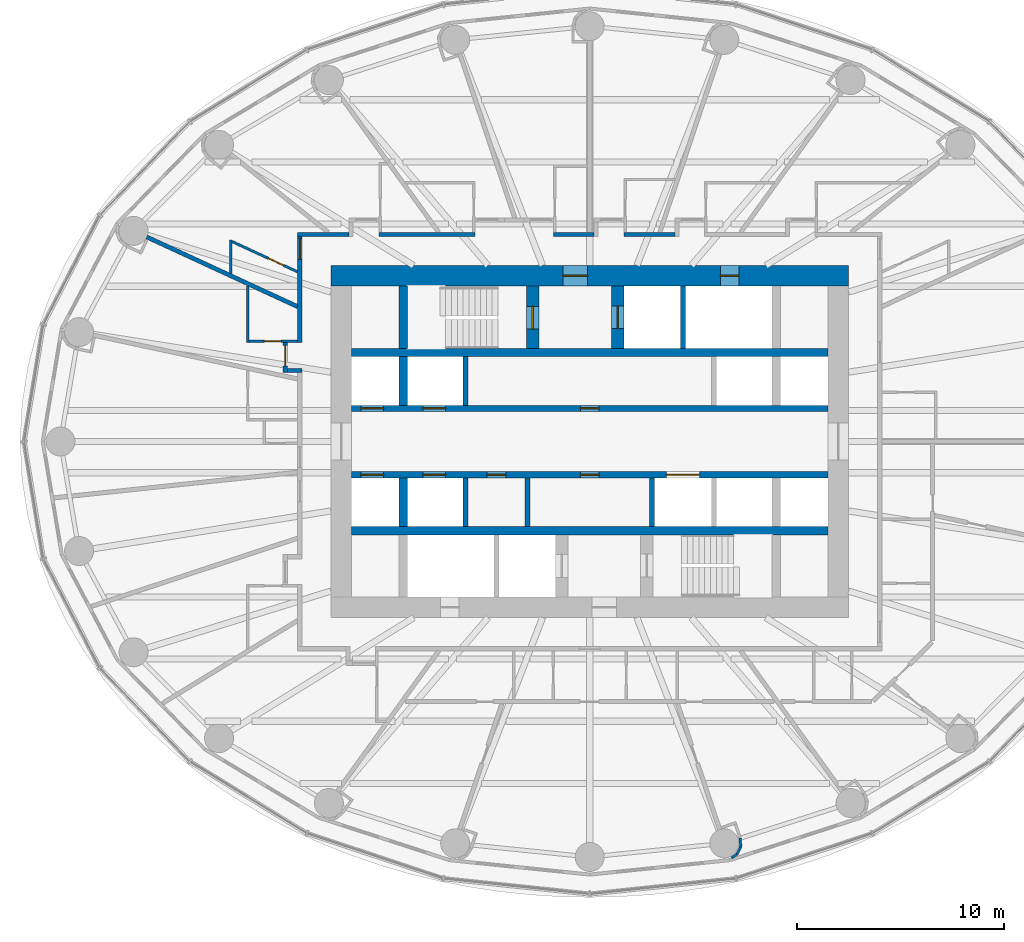
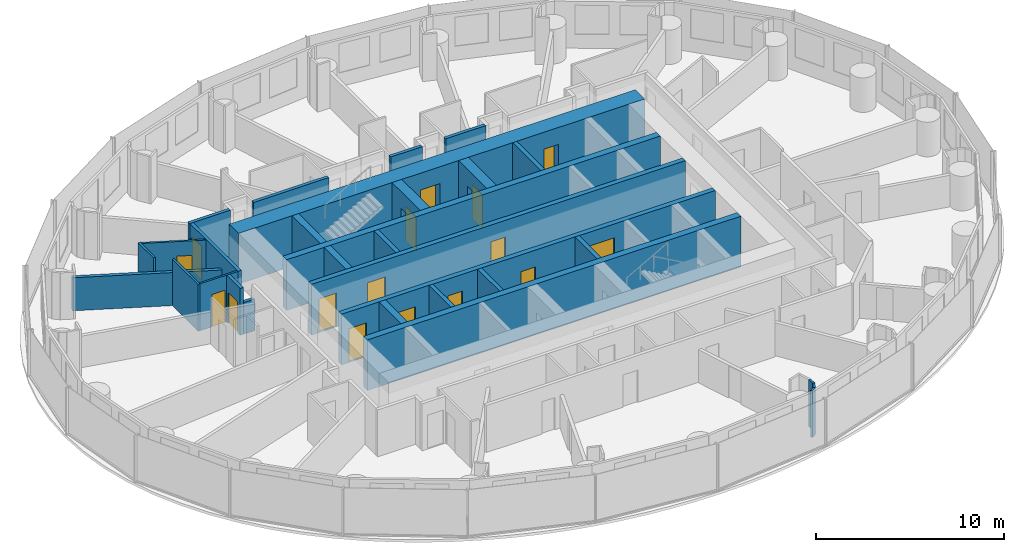
# One storey, part 8 of 14: 30 walls, 16 doors, 16 openings.
"""IFC4 building model written with IfcOpenShell, lengths in metres."""

from ifc_helpers import new_model, si_unit, direction, frame, frame_2d, origin, place, context, subcontext, project, spatial, rectangle, extrude, material, layer, layer_set, type_object, element, fill, save


model = new_model("IFC4")

# Units and contexts
model_context = context("Model", 3, precision=1e-05, world=origin(), true_north=direction((0.0, 1.0)))
body_context = subcontext(model_context, "Body", "Model", "MODEL_VIEW")
ifc_project = project(units=[si_unit("LENGTHUNIT", "METRE"), si_unit("AREAUNIT", "SQUARE_METRE"), si_unit("VOLUMEUNIT", "CUBIC_METRE"), si_unit("PLANEANGLEUNIT", "RADIAN"), si_unit("MASSUNIT", "GRAM", prefix="KILO")], contexts=[model_context])

# Site, building, storey
site_placement = place(None, origin())
site = spatial("IfcSite", under=ifc_project, at=site_placement, CompositionType="ELEMENT")
building_placement = place(site_placement, origin())
building = spatial("IfcBuilding", under=site, at=building_placement, Name="Hankou Lantern Tower", CompositionType="ELEMENT")
storey_placement = place(building_placement, frame((0.0, 0.0, 90.300048828125)))
storey = spatial("IfcBuildingStorey", under=building, at=storey_placement, Name="L23", CompositionType="ELEMENT", Elevation=90.300048828125)

# Wall, openings, doors
ifc_material_1 = material(Name="Concrete C60", Category="concrete")
ifc_layer_1 = layer(ifc_material_1, 1.0)
ifc_layer_set_1 = layer_set([ifc_layer_1], Name="Concrete C60")
wall_type_1 = type_object("IfcWallType", Name="CW1 CORE WALL 1000", PredefinedType="SHEAR", material=ifc_layer_set_1)
wall_1_placement = place(storey_placement, frame((-12.5, 8.0, 0.0), z_axis=(0.0, 0.0, 1.0), x_axis=(1.0, 0.0, 0.0)))
wall_1 = element("IfcWall", 1, at=wall_1_placement, inside=storey, type_object=wall_type_1, Name="Core wall north L23", PredefinedType="SHEAR", context=body_context, shape_type="SweptSolid", body=[
    extrude(rectangle(XDim=25.0, YDim=1.0, at=frame_2d((12.5, 0.0))), origin(), (0.0, 0.0, 1.0), 3.300048828125),
])
opening_1_placement = place(wall_1_placement, frame((11.199951171875, 0.0, 0.0)))
opening_1 = element("IfcOpeningElement", 2, at=opening_1_placement, cuts=wall_1, Name="Opening D5", PredefinedType="OPENING", context=body_context, shape_type="SweptSolid", body=[
    extrude(rectangle(XDim=1.199951171875, YDim=2.199951171875, at=frame_2d((0.60009765625, 1.10009765625))), frame((0.0, 0.510009765625, 0.0), z_axis=(0.0, -1.0, 0.0), x_axis=(1.0, 0.0, 0.0)), (0.0, 0.0, 1.0), 1.02001953125),
])
opening_2_placement = place(wall_1_placement, frame((18.800048828125, 0.0, 0.0)))
opening_2 = element("IfcOpeningElement", 3, at=opening_2_placement, cuts=wall_1, Name="Opening D7", PredefinedType="OPENING", context=body_context, shape_type="SweptSolid", body=[
    extrude(rectangle(XDim=0.89990234375, YDim=2.199951171875, at=frame_2d((0.449951171875, 1.10009765625))), frame((0.0, 0.510009765625, 0.0), z_axis=(0.0, -1.0, 0.0), x_axis=(1.0, 0.0, 0.0)), (0.0, 0.0, 1.0), 1.02001953125),
])
ifc_material_2 = material(Name="Steel door leaf", Category="steel")
door_type_1 = type_object("IfcDoorType", Name="D5 STAIR LOBBY DOOR 1200X2200", OperationType="SINGLE_SWING_LEFT", PredefinedType="DOOR", material=ifc_material_2)
door_1_placement = place(opening_1_placement, origin())
door_1 = element("IfcDoor", 4, at=door_1_placement, inside=storey, type_object=door_type_1, Name="Stair A lobby door", OperationType="SINGLE_SWING_LEFT", OverallHeight=2.199951171875, OverallWidth=1.199951171875, PredefinedType="DOOR", context=body_context, shape_type="SweptSolid", body=[
    extrude(rectangle(XDim=1.199951171875, YDim=2.199951171875, at=frame_2d((0.60009765625, 1.10009765625))), frame((0.0, 0.02490234375, 0.0), z_axis=(0.0, -1.0, 0.0), x_axis=(1.0, 0.0, 0.0)), (0.0, 0.0, 1.0), 0.050048828125),
])
fill(opening_1, door_1)
ifc_material_3 = material(Name="Steel door leaf", Category="steel")
door_type_2 = type_object("IfcDoorType", Name="D7 RISER DOOR 900X2200", OperationType="SINGLE_SWING_LEFT", PredefinedType="DOOR", material=ifc_material_3)
door_2_placement = place(opening_2_placement, origin())
door_2 = element("IfcDoor", 5, at=door_2_placement, inside=storey, type_object=door_type_2, Name="Riser N1 door", OperationType="SINGLE_SWING_RIGHT", OverallHeight=2.199951171875, OverallWidth=0.89990234375, PredefinedType="DOOR", context=body_context, shape_type="SweptSolid", body=[
    extrude(rectangle(XDim=0.89990234375, YDim=2.199951171875, at=frame_2d((0.449951171875, 1.10009765625))), frame((0.0, 0.02490234375, 0.0), z_axis=(0.0, -1.0, 0.0), x_axis=(1.0, 0.0, 0.0)), (0.0, 0.0, 1.0), 0.050048828125),
])
fill(opening_2, door_2)

# Walls
ifc_material_4 = material(Name="Concrete C60", Category="concrete")
ifc_layer_2 = layer(ifc_material_4, 0.39990234375)
ifc_layer_set_2 = layer_set([ifc_layer_2], Name="Concrete C60")
wall_type_2 = type_object("IfcWallType", Name="CW4 CORE CROSS WALL 400", PredefinedType="SHEAR", material=ifc_layer_set_2)
for number, where, z_axis, x_axis, name in (
    (6, (-11.5, 4.300048828125, 0.0), (0.0, 0.0, 1.0), (1.0, 0.0, 0.0), "Core band wall north L23"),
    (7, (-11.5, -4.300048828125, 0.0), (0.0, 0.0, 1.0), (1.0, 0.0, 0.0), "Core band wall south L23"),
):
    element("IfcWall", number, at=place(storey_placement, frame(where, z_axis=z_axis, x_axis=x_axis)), inside=storey, type_object=wall_type_2, Name=name, PredefinedType="SHEAR", context=body_context, shape_type="SweptSolid", body=[
        extrude(rectangle(XDim=23.0, YDim=0.39990234375, at=frame_2d((11.5, 0.0))), origin(), (0.0, 0.0, 1.0), 3.300048828125),
    ])
wall_2_placement = place(storey_placement, frame((-9.0, 4.5, 0.0), z_axis=(0.0, 0.0, 1.0), x_axis=(0.0, 1.0, 0.0)))
element("IfcWall", 8, at=wall_2_placement, inside=storey, type_object=wall_type_2, Name="Core strip wall L23", PredefinedType="SHEAR", context=body_context, shape_type="SweptSolid", body=[
    extrude(rectangle(XDim=3.0, YDim=0.39990234375, at=frame_2d((1.5, 0.0))), origin(), (0.0, 0.0, 1.0), 3.300048828125),
])
for number, where, z_axis, x_axis, name in (
    (9, (-9.0, 1.75, 0.0), (0.0, 0.0, 1.0), (0.0, 1.0, 0.0), "Core strip wall L23"),
    (10, (-9.0, -4.10009765625, 0.0), (0.0, 0.0, 1.0), (0.0, 1.0, 0.0), "Core strip wall L23"),
):
    element("IfcWall", number, at=place(storey_placement, frame(where, z_axis=z_axis, x_axis=x_axis)), inside=storey, type_object=wall_type_2, Name=name, PredefinedType="SHEAR", context=body_context, shape_type="SweptSolid", body=[
        extrude(rectangle(XDim=2.35009765625, YDim=0.39990234375, at=frame_2d((1.175048828125, 0.0))), origin(), (0.0, 0.0, 1.0), 3.300048828125),
    ])

# Wall, openings, doors
ifc_material_5 = material(Name="Concrete C60", Category="concrete")
ifc_layer_3 = layer(ifc_material_5, 0.300048828125)
ifc_layer_set_3 = layer_set([ifc_layer_3], Name="Concrete C60")
wall_type_3 = type_object("IfcWallType", Name="CW5 LIFT LOBBY WALL 300", PredefinedType="SHEAR", material=ifc_layer_set_3)
wall_3_placement = place(storey_placement, frame((-11.5, 1.60009765625, 0.0), z_axis=(0.0, 0.0, 1.0), x_axis=(1.0, 0.0, 0.0)))
wall_3 = element("IfcWall", 11, at=wall_3_placement, inside=storey, type_object=wall_type_3, Name="Lift lobby wall north L23", PredefinedType="SHEAR", context=body_context, shape_type="SweptSolid", body=[
    extrude(rectangle(XDim=23.0, YDim=0.300048828125, at=frame_2d((11.5, 0.0))), origin(), (0.0, 0.0, 1.0), 3.300048828125),
])
opening_3_placement = place(wall_3_placement, frame((0.449951171875, 0.0, 0.0)))
opening_3 = element("IfcOpeningElement", 12, at=opening_3_placement, cuts=wall_3, Name="Opening LD1", PredefinedType="OPENING", context=body_context, shape_type="SweptSolid", body=[
    extrude(rectangle(XDim=1.10009765625, YDim=2.199951171875, at=frame_2d((0.550048828125, 1.10009765625))), frame((0.0, 0.159912109375, 0.0), z_axis=(0.0, -1.0, 0.0), x_axis=(1.0, 0.0, 0.0)), (0.0, 0.0, 1.0), 0.320068359375),
])
opening_4_placement = place(wall_3_placement, frame((3.449951171875, 0.0, 0.0)))
opening_4 = element("IfcOpeningElement", 13, at=opening_4_placement, cuts=wall_3, Name="Opening LD1", PredefinedType="OPENING", context=body_context, shape_type="SweptSolid", body=[
    extrude(rectangle(XDim=1.10009765625, YDim=2.199951171875, at=frame_2d((0.550048828125, 1.10009765625))), frame((0.0, 0.159912109375, 0.0), z_axis=(0.0, -1.0, 0.0), x_axis=(1.0, 0.0, 0.0)), (0.0, 0.0, 1.0), 0.320068359375),
])
opening_5_placement = place(wall_3_placement, frame((11.050048828125, 0.0, 0.0)))
opening_5 = element("IfcOpeningElement", 14, at=opening_5_placement, cuts=wall_3, Name="Opening D30", PredefinedType="OPENING", context=body_context, shape_type="SweptSolid", body=[
    extrude(rectangle(XDim=0.89990234375, YDim=2.199951171875, at=frame_2d((0.449951171875, 1.10009765625))), frame((0.0, 0.159912109375, 0.0), z_axis=(0.0, -1.0, 0.0), x_axis=(1.0, 0.0, 0.0)), (0.0, 0.0, 1.0), 0.320068359375),
])
ifc_material_6 = material(Name="Steel door leaf", Category="steel")
door_type_3 = type_object("IfcDoorType", Name="D30 CORE ROOM DOOR 900X2200", OperationType="SINGLE_SWING_LEFT", PredefinedType="DOOR", material=ifc_material_6)
door_3_placement = place(opening_5_placement, origin())
door_3 = element("IfcDoor", 15, at=door_3_placement, inside=storey, type_object=door_type_3, Name="Housekeeping and linen store door", OperationType="SINGLE_SWING_LEFT", OverallHeight=2.199951171875, OverallWidth=0.89990234375, PredefinedType="DOOR", context=body_context, shape_type="SweptSolid", body=[
    extrude(rectangle(XDim=0.89990234375, YDim=2.199951171875, at=frame_2d((0.449951171875, 1.10009765625))), frame((0.0, 0.02490234375, 0.0), z_axis=(0.0, -1.0, 0.0), x_axis=(1.0, 0.0, 0.0)), (0.0, 0.0, 1.0), 0.050048828125),
])
fill(opening_5, door_3)
ifc_material_7 = material(Name="Steel door leaf", Category="steel")
door_type_4 = type_object("IfcDoorType", Name="LD1 LIFT LANDING DOOR 1100X2200", OperationType="DOUBLE_DOOR_SLIDING", PredefinedType="DOOR", material=ifc_material_7)
door_4_placement = place(opening_3_placement, origin())
door_4 = element("IfcDoor", 16, at=door_4_placement, inside=storey, type_object=door_type_4, Name="Lift L1 landing door", OperationType="DOUBLE_DOOR_SLIDING", OverallHeight=2.199951171875, OverallWidth=1.10009765625, PredefinedType="DOOR", context=body_context, shape_type="SweptSolid", body=[
    extrude(rectangle(XDim=1.10009765625, YDim=2.199951171875, at=frame_2d((0.550048828125, 1.10009765625))), frame((0.0, 0.02490234375, 0.0), z_axis=(0.0, -1.0, 0.0), x_axis=(1.0, 0.0, 0.0)), (0.0, 0.0, 1.0), 0.050048828125),
])
fill(opening_3, door_4)
door_5_placement = place(opening_4_placement, origin())
door_5 = element("IfcDoor", 17, at=door_5_placement, inside=storey, type_object=door_type_4, Name="Lift L2 landing door", OperationType="DOUBLE_DOOR_SLIDING", OverallHeight=2.199951171875, OverallWidth=1.10009765625, PredefinedType="DOOR", context=body_context, shape_type="SweptSolid", body=[
    extrude(rectangle(XDim=1.10009765625, YDim=2.199951171875, at=frame_2d((0.550048828125, 1.10009765625))), frame((0.0, 0.02490234375, 0.0), z_axis=(0.0, -1.0, 0.0), x_axis=(1.0, 0.0, 0.0)), (0.0, 0.0, 1.0), 0.050048828125),
])
fill(opening_4, door_5)

wall_4_placement = place(storey_placement, frame((-11.5, -1.60009765625, 0.0), z_axis=(0.0, 0.0, 1.0), x_axis=(1.0, 0.0, 0.0)))
wall_4 = element("IfcWall", 18, at=wall_4_placement, inside=storey, type_object=wall_type_3, Name="Lift lobby wall south L23", PredefinedType="SHEAR", context=body_context, shape_type="SweptSolid", body=[
    extrude(rectangle(XDim=23.0, YDim=0.300048828125, at=frame_2d((11.5, 0.0))), origin(), (0.0, 0.0, 1.0), 3.300048828125),
])
opening_6_placement = place(wall_4_placement, frame((0.449951171875, 0.0, 0.0)))
opening_6 = element("IfcOpeningElement", 19, at=opening_6_placement, cuts=wall_4, Name="Opening LD1", PredefinedType="OPENING", context=body_context, shape_type="SweptSolid", body=[
    extrude(rectangle(XDim=1.10009765625, YDim=2.199951171875, at=frame_2d((0.550048828125, 1.10009765625))), frame((0.0, 0.159912109375, 0.0), z_axis=(0.0, -1.0, 0.0), x_axis=(1.0, 0.0, 0.0)), (0.0, 0.0, 1.0), 0.320068359375),
])
opening_7_placement = place(wall_4_placement, frame((3.449951171875, 0.0, 0.0)))
opening_7 = element("IfcOpeningElement", 20, at=opening_7_placement, cuts=wall_4, Name="Opening LD1", PredefinedType="OPENING", context=body_context, shape_type="SweptSolid", body=[
    extrude(rectangle(XDim=1.10009765625, YDim=2.199951171875, at=frame_2d((0.550048828125, 1.10009765625))), frame((0.0, 0.159912109375, 0.0), z_axis=(0.0, -1.0, 0.0), x_axis=(1.0, 0.0, 0.0)), (0.0, 0.0, 1.0), 0.320068359375),
])
opening_8_placement = place(wall_4_placement, frame((15.199951171875, 0.0, 0.0)))
opening_8 = element("IfcOpeningElement", 21, at=opening_8_placement, cuts=wall_4, Name="Opening LD4", PredefinedType="OPENING", context=body_context, shape_type="SweptSolid", body=[
    extrude(rectangle(XDim=1.60009765625, YDim=2.39990234375, at=frame_2d((0.800048828125, 1.199951171875))), frame((0.0, 0.159912109375, 0.0), z_axis=(0.0, -1.0, 0.0), x_axis=(1.0, 0.0, 0.0)), (0.0, 0.0, 1.0), 0.320068359375),
])
opening_9_placement = place(wall_4_placement, frame((6.550048828125, 0.0, 0.0)))
opening_9 = element("IfcOpeningElement", 22, at=opening_9_placement, cuts=wall_4, Name="Opening D30", PredefinedType="OPENING", context=body_context, shape_type="SweptSolid", body=[
    extrude(rectangle(XDim=0.89990234375, YDim=2.199951171875, at=frame_2d((0.449951171875, 1.10009765625))), frame((0.0, 0.159912109375, 0.0), z_axis=(0.0, -1.0, 0.0), x_axis=(1.0, 0.0, 0.0)), (0.0, 0.0, 1.0), 0.320068359375),
])
opening_10_placement = place(wall_4_placement, frame((11.050048828125, 0.0, 0.0)))
opening_10 = element("IfcOpeningElement", 23, at=opening_10_placement, cuts=wall_4, Name="Opening D30", PredefinedType="OPENING", context=body_context, shape_type="SweptSolid", body=[
    extrude(rectangle(XDim=0.89990234375, YDim=2.199951171875, at=frame_2d((0.449951171875, 1.10009765625))), frame((0.0, 0.159912109375, 0.0), z_axis=(0.0, -1.0, 0.0), x_axis=(1.0, 0.0, 0.0)), (0.0, 0.0, 1.0), 0.320068359375),
])
door_6_placement = place(opening_9_placement, origin())
door_6 = element("IfcDoor", 24, at=door_6_placement, inside=storey, type_object=door_type_3, Name="Vending room door", OperationType="SINGLE_SWING_LEFT", OverallHeight=2.199951171875, OverallWidth=0.89990234375, PredefinedType="DOOR", context=body_context, shape_type="SweptSolid", body=[
    extrude(rectangle(XDim=0.89990234375, YDim=2.199951171875, at=frame_2d((0.449951171875, 1.10009765625))), frame((0.0, 0.02490234375, 0.0), z_axis=(0.0, -1.0, 0.0), x_axis=(1.0, 0.0, 0.0)), (0.0, 0.0, 1.0), 0.050048828125),
])
fill(opening_9, door_6)
door_7_placement = place(opening_10_placement, origin())
door_7 = element("IfcDoor", 25, at=door_7_placement, inside=storey, type_object=door_type_3, Name="Minibar store door", OperationType="SINGLE_SWING_LEFT", OverallHeight=2.199951171875, OverallWidth=0.89990234375, PredefinedType="DOOR", context=body_context, shape_type="SweptSolid", body=[
    extrude(rectangle(XDim=0.89990234375, YDim=2.199951171875, at=frame_2d((0.449951171875, 1.10009765625))), frame((0.0, 0.02490234375, 0.0), z_axis=(0.0, -1.0, 0.0), x_axis=(1.0, 0.0, 0.0)), (0.0, 0.0, 1.0), 0.050048828125),
])
fill(opening_10, door_7)
door_8_placement = place(opening_6_placement, origin())
door_8 = element("IfcDoor", 26, at=door_8_placement, inside=storey, type_object=door_type_4, Name="Lift L3 landing door", OperationType="DOUBLE_DOOR_SLIDING", OverallHeight=2.199951171875, OverallWidth=1.10009765625, PredefinedType="DOOR", context=body_context, shape_type="SweptSolid", body=[
    extrude(rectangle(XDim=1.10009765625, YDim=2.199951171875, at=frame_2d((0.550048828125, 1.10009765625))), frame((0.0, 0.02490234375, 0.0), z_axis=(0.0, -1.0, 0.0), x_axis=(1.0, 0.0, 0.0)), (0.0, 0.0, 1.0), 0.050048828125),
])
fill(opening_6, door_8)
door_9_placement = place(opening_7_placement, origin())
door_9 = element("IfcDoor", 27, at=door_9_placement, inside=storey, type_object=door_type_4, Name="Lift L4 landing door", OperationType="DOUBLE_DOOR_SLIDING", OverallHeight=2.199951171875, OverallWidth=1.10009765625, PredefinedType="DOOR", context=body_context, shape_type="SweptSolid", body=[
    extrude(rectangle(XDim=1.10009765625, YDim=2.199951171875, at=frame_2d((0.550048828125, 1.10009765625))), frame((0.0, 0.02490234375, 0.0), z_axis=(0.0, -1.0, 0.0), x_axis=(1.0, 0.0, 0.0)), (0.0, 0.0, 1.0), 0.050048828125),
])
fill(opening_7, door_9)
ifc_material_8 = material(Name="Steel door leaf", Category="steel")
door_type_5 = type_object("IfcDoorType", Name="LD4 SERVICE LIFT LANDING DOOR 1600X2400", OperationType="DOUBLE_DOOR_SLIDING", PredefinedType="DOOR", material=ifc_material_8)
door_10_placement = place(opening_8_placement, origin())
door_10 = element("IfcDoor", 28, at=door_10_placement, inside=storey, type_object=door_type_5, Name="Lift SV1 landing door", OperationType="DOUBLE_DOOR_SLIDING", OverallHeight=2.39990234375, OverallWidth=1.60009765625, PredefinedType="DOOR", context=body_context, shape_type="SweptSolid", body=[
    extrude(rectangle(XDim=1.60009765625, YDim=2.39990234375, at=frame_2d((0.800048828125, 1.199951171875))), frame((0.0, 0.02490234375, 0.0), z_axis=(0.0, -1.0, 0.0), x_axis=(1.0, 0.0, 0.0)), (0.0, 0.0, 1.0), 0.050048828125),
])
fill(opening_8, door_10)

# Wall, opening, door
ifc_material_9 = material(Name="Concrete C60", Category="concrete")
ifc_layer_4 = layer(ifc_material_9, 0.60009765625)
ifc_layer_set_4 = layer_set([ifc_layer_4], Name="Concrete C60")
wall_type_4 = type_object("IfcWallType", Name="CW6 STAIR AND SHAFT WALL 600", PredefinedType="SHEAR", material=ifc_layer_set_4)
wall_5_placement = place(storey_placement, frame((-2.75, 4.5, 0.0), z_axis=(0.0, 0.0, 1.0), x_axis=(0.0, 1.0, 0.0)))
wall_5 = element("IfcWall", 29, at=wall_5_placement, inside=storey, type_object=wall_type_4, Name="Stair wall L23", PredefinedType="SHEAR", context=body_context, shape_type="SweptSolid", body=[
    extrude(rectangle(XDim=3.0, YDim=0.60009765625, at=frame_2d((1.5, 0.0))), origin(), (0.0, 0.0, 1.0), 3.300048828125),
])
opening_11_placement = place(wall_5_placement, frame((0.925048828125, 0.0, 0.0)))
opening_11 = element("IfcOpeningElement", 30, at=opening_11_placement, cuts=wall_5, Name="Opening D4", PredefinedType="OPENING", context=body_context, shape_type="SweptSolid", body=[
    extrude(rectangle(XDim=1.10009765625, YDim=2.199951171875, at=frame_2d((0.550048828125, 1.10009765625))), frame((0.0, 0.31005859375, 0.0), z_axis=(0.0, -1.0, 0.0), x_axis=(1.0, 0.0, 0.0)), (0.0, 0.0, 1.0), 0.6201171875),
])
ifc_material_10 = material(Name="Steel door leaf", Category="steel")
door_type_6 = type_object("IfcDoorType", Name="D4 STAIR DOOR 1100X2200", OperationType="SINGLE_SWING_LEFT", PredefinedType="DOOR", material=ifc_material_10)
door_11_placement = place(opening_11_placement, origin())
door_11 = element("IfcDoor", 31, at=door_11_placement, inside=storey, type_object=door_type_6, Name="Stair A door", OperationType="SINGLE_SWING_LEFT", OverallHeight=2.199951171875, OverallWidth=1.10009765625, PredefinedType="DOOR", context=body_context, shape_type="SweptSolid", body=[
    extrude(rectangle(XDim=1.10009765625, YDim=2.199951171875, at=frame_2d((0.550048828125, 1.10009765625))), frame((0.0, 0.02490234375, 0.0), z_axis=(0.0, -1.0, 0.0), x_axis=(1.0, 0.0, 0.0)), (0.0, 0.0, 1.0), 0.050048828125),
])
fill(opening_11, door_11)

wall_6_placement = place(storey_placement, frame((1.35009765625, 4.5, 0.0), z_axis=(0.0, 0.0, 1.0), x_axis=(0.0, 1.0, 0.0)))
wall_6 = element("IfcWall", 32, at=wall_6_placement, inside=storey, type_object=wall_type_4, Name="Firefighting lift shaft wall L23", PredefinedType="SHEAR", context=body_context, shape_type="SweptSolid", body=[
    extrude(rectangle(XDim=3.0, YDim=0.60009765625, at=frame_2d((1.5, 0.0))), origin(), (0.0, 0.0, 1.0), 3.300048828125),
])
opening_12_placement = place(wall_6_placement, frame((0.949951171875, 0.0, 0.0)))
opening_12 = element("IfcOpeningElement", 33, at=opening_12_placement, cuts=wall_6, Name="Opening LD2", PredefinedType="OPENING", context=body_context, shape_type="SweptSolid", body=[
    extrude(rectangle(XDim=1.10009765625, YDim=2.199951171875, at=frame_2d((0.550048828125, 1.10009765625))), frame((0.0, 0.31005859375, 0.0), z_axis=(0.0, -1.0, 0.0), x_axis=(1.0, 0.0, 0.0)), (0.0, 0.0, 1.0), 0.6201171875),
])
ifc_material_11 = material(Name="Steel door leaf", Category="steel")
door_type_7 = type_object("IfcDoorType", Name="LD2 FIREFIGHTING LIFT LANDING DOOR 1100X2200", OperationType="DOUBLE_DOOR_SLIDING", PredefinedType="DOOR", material=ifc_material_11)
door_12_placement = place(opening_12_placement, origin())
door_12 = element("IfcDoor", 34, at=door_12_placement, inside=storey, type_object=door_type_7, Name="Firefighting lift FL1 landing door", OperationType="DOUBLE_DOOR_SLIDING", OverallHeight=2.199951171875, OverallWidth=1.10009765625, PredefinedType="DOOR", context=body_context, shape_type="SweptSolid", body=[
    extrude(rectangle(XDim=1.10009765625, YDim=2.199951171875, at=frame_2d((0.550048828125, 1.10009765625))), frame((0.0, 0.02490234375, 0.0), z_axis=(0.0, -1.0, 0.0), x_axis=(1.0, 0.0, 0.0)), (0.0, 0.0, 1.0), 0.050048828125),
])
fill(opening_12, door_12)

# Wall
ifc_material_12 = material(Name="Masonry lightweight concrete block", Category="masonry")
ifc_layer_5 = layer(ifc_material_12, 0.199951171875)
ifc_layer_set_5 = layer_set([ifc_layer_5], Name="Masonry lightweight concrete block")
wall_type_5 = type_object("IfcWallType", Name="IW1 GUEST ROOM PARTY WALL 200", PredefinedType="PARTITIONING", material=ifc_layer_set_5)
wall_7_placement = place(storey_placement, frame((-14.10009765625, 6.512451171875, 0.0), z_axis=(0.0, 0.0, 1.0), x_axis=(-0.907832871056, 0.419332181247, 0.0)))
element("IfcWall", 35, at=wall_7_placement, inside=storey, type_object=wall_type_5, Name="Party wall R11", PredefinedType="PARTITIONING", context=body_context, shape_type="SweptSolid", body=[
    extrude(rectangle(XDim=8.02294921875, YDim=0.199951171875, at=frame_2d((4.011474609375, 0.0))), origin(), (0.0, 0.0, 1.0), 2.14990234375),
])

# Wall, opening, door
ifc_material_13 = material(Name="Masonry lightweight concrete block", Category="masonry")
ifc_layer_6 = layer(ifc_material_13, 0.199951171875)
ifc_layer_set_6 = layer_set([ifc_layer_6], Name="Masonry lightweight concrete block")
wall_type_6 = type_object("IfcWallType", Name="IW2 CORRIDOR WALL 200", PredefinedType="PARTITIONING", material=ifc_layer_set_6)
wall_8_placement = place(storey_placement, frame((-14.699951171875, 4.7724609375, 0.0), z_axis=(0.0, 0.0, 1.0), x_axis=(0.0, -1.0, 0.0)))
wall_8 = element("IfcWall", 36, at=wall_8_placement, inside=storey, type_object=wall_type_6, Name="Corridor recess wall 2301 back", PredefinedType="PARTITIONING", context=body_context, shape_type="SweptSolid", body=[
    extrude(rectangle(XDim=1.43994140625, YDim=0.199951171875, at=frame_2d((0.719970703125, 0.0))), origin(), (0.0, 0.0, 1.0), 3.050048828125),
])
opening_13_placement = place(wall_8_placement, frame((0.125, 0.0, 0.0)))
opening_13 = element("IfcOpeningElement", 37, at=opening_13_placement, cuts=wall_8, Name="Opening D35", PredefinedType="OPENING", context=body_context, shape_type="SweptSolid", body=[
    extrude(rectangle(XDim=1.0, YDim=2.0, at=frame_2d((0.5, 1.0))), frame((0.0, 0.10986328125, 0.0), z_axis=(0.0, -1.0, 0.0), x_axis=(1.0, 0.0, 0.0)), (0.0, 0.0, 1.0), 0.219970703125),
])
ifc_material_14 = material(Name="Steel door leaf", Category="steel")
door_type_8 = type_object("IfcDoorType", Name="D35 GUEST ROOM DOOR 1000X2000", OperationType="SINGLE_SWING_LEFT", PredefinedType="DOOR", material=ifc_material_14)
door_13_placement = place(opening_13_placement, origin())
door_13 = element("IfcDoor", 38, at=door_13_placement, inside=storey, type_object=door_type_8, Name="Guest room door 2301", OperationType="SINGLE_SWING_LEFT", OverallHeight=2.0, OverallWidth=1.0, PredefinedType="DOOR", context=body_context, shape_type="SweptSolid", body=[
    extrude(rectangle(XDim=1.0, YDim=2.0, at=frame_2d((0.5, 1.0))), frame((0.0, 0.02490234375, 0.0), z_axis=(0.0, -1.0, 0.0), x_axis=(1.0, 0.0, 0.0)), (0.0, 0.0, 1.0), 0.050048828125),
])
fill(opening_13, door_13)

# Wall
wall_9_placement = place(storey_placement, frame((-13.89990234375, 3.4326171875, 0.0), z_axis=(0.0, 0.0, 1.0), x_axis=(-1.0, 0.0, 0.0)))
element("IfcWall", 39, at=wall_9_placement, inside=storey, type_object=wall_type_6, Name="Corridor recess wall 2301 side", PredefinedType="PARTITIONING", context=body_context, shape_type="SweptSolid", body=[
    extrude(rectangle(XDim=0.7001953125, YDim=0.199951171875, at=frame_2d((0.35009765625, 0.0))), origin(), (0.0, 0.0, 1.0), 2.050048828125),
])

# Wall, opening, door
wall_10_placement = place(storey_placement, frame((-14.0, 9.89990234375, 0.0), z_axis=(0.0, 0.0, 1.0), x_axis=(0.0, -1.0, 0.0)))
wall_10 = element("IfcWall", 40, at=wall_10_placement, inside=storey, type_object=wall_type_6, Name="Corridor wall west", PredefinedType="PARTITIONING", context=body_context, shape_type="SweptSolid", body=[
    extrude(rectangle(XDim=5.12744140625, YDim=0.199951171875, at=frame_2d((2.563720703125, 0.0))), origin(), (0.0, 0.0, 1.0), 3.050048828125),
])
opening_14_placement = place(wall_10_placement, frame((0.1025390625, 0.0, 0.0)))
opening_14 = element("IfcOpeningElement", 41, at=opening_14_placement, cuts=wall_10, Name="Opening D1", PredefinedType="OPENING", context=body_context, shape_type="SweptSolid", body=[
    extrude(rectangle(XDim=1.0, YDim=2.199951171875, at=frame_2d((0.5, 1.10009765625))), frame((0.0, 0.10986328125, 0.0), z_axis=(0.0, -1.0, 0.0), x_axis=(1.0, 0.0, 0.0)), (0.0, 0.0, 1.0), 0.219970703125),
])
ifc_material_15 = material(Name="Steel door leaf", Category="steel")
door_type_9 = type_object("IfcDoorType", Name="D1 GUEST ROOM DOOR 1000X2200", OperationType="SINGLE_SWING_LEFT", PredefinedType="DOOR", material=ifc_material_15)
door_14_placement = place(opening_14_placement, origin())
door_14 = element("IfcDoor", 42, at=door_14_placement, inside=storey, type_object=door_type_9, Name="Guest room door 2316", OperationType="SINGLE_SWING_LEFT", OverallHeight=2.199951171875, OverallWidth=1.0, PredefinedType="DOOR", context=body_context, shape_type="SweptSolid", body=[
    extrude(rectangle(XDim=1.0, YDim=2.199951171875, at=frame_2d((0.5, 1.10009765625))), frame((0.0, 0.02490234375, 0.0), z_axis=(0.0, -1.0, 0.0), x_axis=(1.0, 0.0, 0.0)), (0.0, 0.0, 1.0), 0.050048828125),
])
fill(opening_14, door_14)

# Walls
wall_11_placement = place(storey_placement, frame((-14.10009765625, 10.0, 0.0), z_axis=(0.0, 0.0, 1.0), x_axis=(1.0, 0.0, 0.0)))
element("IfcWall", 43, at=wall_11_placement, inside=storey, type_object=wall_type_6, Name="Corridor wall north", PredefinedType="PARTITIONING", context=body_context, shape_type="SweptSolid", body=[
    extrude(rectangle(XDim=2.48095703125, YDim=0.199951171875, at=frame_2d((1.240478515625, 0.0))), origin(), (0.0, 0.0, 1.0), 3.050048828125),
])
wall_12_placement = place(storey_placement, frame((-10.178955078125, 10.0, 0.0), z_axis=(0.0, 0.0, 1.0), x_axis=(1.0, 0.0, 0.0)))
element("IfcWall", 44, at=wall_12_placement, inside=storey, type_object=wall_type_6, Name="Corridor wall north", PredefinedType="PARTITIONING", context=body_context, shape_type="SweptSolid", body=[
    extrude(rectangle(XDim=4.6298828125, YDim=0.199951171875, at=frame_2d((2.31494140625, 0.0))), origin(), (0.0, 0.0, 1.0), 3.050048828125),
])
wall_13_placement = place(storey_placement, frame((-1.739990234375, 10.0, 0.0), z_axis=(0.0, 0.0, 1.0), x_axis=(1.0, 0.0, 0.0)))
element("IfcWall", 45, at=wall_13_placement, inside=storey, type_object=wall_type_6, Name="Corridor wall north", PredefinedType="PARTITIONING", context=body_context, shape_type="SweptSolid", body=[
    extrude(rectangle(XDim=1.94287109375, YDim=0.199951171875, at=frame_2d((0.971435546875, 0.0))), origin(), (0.0, 0.0, 1.0), 3.050048828125),
])
wall_14_placement = place(storey_placement, frame((1.642822265625, 10.0, 0.0), z_axis=(0.0, 0.0, 1.0), x_axis=(1.0, 0.0, 0.0)))
element("IfcWall", 46, at=wall_14_placement, inside=storey, type_object=wall_type_6, Name="Corridor wall north", PredefinedType="PARTITIONING", context=body_context, shape_type="SweptSolid", body=[
    extrude(rectangle(XDim=2.46630859375, YDim=0.199951171875, at=frame_2d((1.233154296875, 0.0))), origin(), (0.0, 0.0, 1.0), 3.050048828125),
])
ifc_material_16 = material(Name="Masonry lightweight concrete block", Category="masonry")
ifc_layer_7 = layer(ifc_material_16, 0.1201171875)
ifc_layer_set_7 = layer_set([ifc_layer_7], Name="Masonry lightweight concrete block")
wall_type_7 = type_object("IfcWallType", Name="IW3 BATHROOM WALL 120", PredefinedType="PARTITIONING", material=ifc_layer_set_7)
wall_15_placement = place(storey_placement, frame((-16.5, 7.52099609375, 0.0), z_axis=(0.0, 0.0, 1.0), x_axis=(0.0, -1.0, 0.0)))
element("IfcWall", 47, at=wall_15_placement, inside=storey, type_object=wall_type_7, Name="Box wall 2301 1", PredefinedType="PARTITIONING", context=body_context, shape_type="SweptSolid", body=[
    extrude(rectangle(XDim=2.74853515625, YDim=0.1201171875, at=frame_2d((1.374267578125, 0.0))), origin(), (0.0, 0.0, 1.0), 3.050048828125),
])

# Wall, opening, door
wall_16_placement = place(storey_placement, frame((-14.10009765625, 4.83251953125, 0.0), z_axis=(0.0, 0.0, 1.0), x_axis=(-1.0, 0.0, 0.0)))
wall_16 = element("IfcWall", 48, at=wall_16_placement, inside=storey, type_object=wall_type_7, Name="Box wall 2301 1", PredefinedType="PARTITIONING", context=body_context, shape_type="SweptSolid", body=[
    extrude(rectangle(XDim=2.33984375, YDim=0.1201171875, at=frame_2d((1.169921875, 0.0))), origin(), (0.0, 0.0, 1.0), 3.050048828125),
])
opening_15_placement = place(wall_16_placement, frame((0.800048828125, 0.0, 0.0)))
opening_15 = element("IfcOpeningElement", 49, at=opening_15_placement, cuts=wall_16, Name="Opening D3", PredefinedType="OPENING", context=body_context, shape_type="SweptSolid", body=[
    extrude(rectangle(XDim=0.800048828125, YDim=2.10009765625, at=frame_2d((0.39990234375, 1.050048828125))), frame((0.0, 0.070068359375, 0.0), z_axis=(0.0, -1.0, 0.0), x_axis=(1.0, 0.0, 0.0)), (0.0, 0.0, 1.0), 0.14013671875),
])
ifc_material_17 = material(Name="Timber door leaf", Category="wood")
door_type_10 = type_object("IfcDoorType", Name="D3 BATHROOM DOOR 800X2100", OperationType="SINGLE_SWING_LEFT", PredefinedType="DOOR", material=ifc_material_17)
door_15_placement = place(opening_15_placement, origin())
door_15 = element("IfcDoor", 50, at=door_15_placement, inside=storey, type_object=door_type_10, Name="En-suite bathroom 2301 door", OperationType="SINGLE_SWING_LEFT", OverallHeight=2.10009765625, OverallWidth=0.800048828125, PredefinedType="DOOR", context=body_context, shape_type="SweptSolid", body=[
    extrude(rectangle(XDim=0.800048828125, YDim=2.10009765625, at=frame_2d((0.39990234375, 1.050048828125))), frame((0.0, 0.02490234375, 0.0), z_axis=(0.0, -1.0, 0.0), x_axis=(1.0, 0.0, 0.0)), (0.0, 0.0, 1.0), 0.050048828125),
])
fill(opening_15, door_15)

# Wall
wall_17_placement = place(storey_placement, frame((-17.32275390625, 8.10107421875, 0.0), z_axis=(0.0, 0.0, 1.0), x_axis=(0.0, 1.0, 0.0)))
element("IfcWall", 51, at=wall_17_placement, inside=storey, type_object=wall_type_7, Name="Box wall 2316 1", PredefinedType="PARTITIONING", context=body_context, shape_type="SweptSolid", body=[
    extrude(rectangle(XDim=1.639892578125, YDim=0.1201171875, at=frame_2d((0.81982421875, 0.0))), origin(), (0.0, 0.0, 1.0), 3.050048828125),
])

# Wall, opening, door
wall_18_placement = place(storey_placement, frame((-14.10009765625, 8.192626953125, 0.0), z_axis=(0.0, 0.0, 1.0), x_axis=(-0.907836493557, 0.419324338628, 0.0)))
wall_18 = element("IfcWall", 52, at=wall_18_placement, inside=storey, type_object=wall_type_7, Name="Box wall 2316 1", PredefinedType="PARTITIONING", context=body_context, shape_type="SweptSolid", body=[
    extrude(rectangle(XDim=3.48974609375, YDim=0.1201171875, at=frame_2d((1.744873046875, 0.0))), origin(), (0.0, 0.0, 1.0), 3.050048828125),
])
opening_16_placement = place(wall_18_placement, frame((0.75, 0.0, 0.0)))
opening_16 = element("IfcOpeningElement", 53, at=opening_16_placement, cuts=wall_18, Name="Opening D3", PredefinedType="OPENING", context=body_context, shape_type="SweptSolid", body=[
    extrude(rectangle(XDim=0.800048828125, YDim=2.10009765625, at=frame_2d((0.39990234375, 1.050048828125))), frame((0.0, 0.070068359375, 0.0), z_axis=(0.0, -1.0, 0.0), x_axis=(1.0, 0.0, 0.0)), (0.0, 0.0, 1.0), 0.14013671875),
])
door_16_placement = place(opening_16_placement, origin())
door_16 = element("IfcDoor", 54, at=door_16_placement, inside=storey, type_object=door_type_10, Name="En-suite bathroom 2316 door", OperationType="SINGLE_SWING_LEFT", OverallHeight=2.10009765625, OverallWidth=0.800048828125, PredefinedType="DOOR", context=body_context, shape_type="SweptSolid", body=[
    extrude(rectangle(XDim=0.800048828125, YDim=2.10009765625, at=frame_2d((0.39990234375, 1.050048828125))), frame((0.0, 0.02490234375, 0.0), z_axis=(0.0, -1.0, 0.0), x_axis=(1.0, 0.0, 0.0)), (0.0, 0.0, 1.0), 0.050048828125),
])
fill(opening_16, door_16)

# Walls
ifc_material_18 = material(Name="Masonry lightweight concrete block", Category="masonry")
ifc_layer_8 = layer(ifc_material_18, 0.1201171875)
ifc_layer_set_8 = layer_set([ifc_layer_8], Name="Masonry lightweight concrete block")
wall_type_8 = type_object("IfcWallType", Name="IW4 PARTITION 120", PredefinedType="PARTITIONING", material=ifc_layer_set_8)
wall_19_placement = place(storey_placement, frame((7.260498046875, -19.135009765625, 0.0), z_axis=(0.0, 0.0, 1.0), x_axis=(0.0613238046, -0.99811792439, 0.0)))
element("IfcWall", 55, at=wall_19_placement, inside=storey, type_object=wall_type_8, Name="Column casing R20", PredefinedType="PARTITIONING", context=body_context, shape_type="SweptSolid", body=[
    extrude(rectangle(XDim=0.41796875, YDim=0.1201171875, at=frame_2d((0.208984375, 0.0))), origin(), (0.0, 0.0, 1.0), 3.050048828125),
])
wall_20_placement = place(storey_placement, frame((7.2861328125, -19.55224609375, 0.0), z_axis=(0.0, 0.0, 1.0), x_axis=(-0.445810757773, -0.89512723579, 0.0)))
element("IfcWall", 56, at=wall_20_placement, inside=storey, type_object=wall_type_8, Name="Column casing R20", PredefinedType="PARTITIONING", context=body_context, shape_type="SweptSolid", body=[
    extrude(rectangle(XDim=0.417724609375, YDim=0.1201171875, at=frame_2d((0.208984375, 0.0))), origin(), (0.0, 0.0, 1.0), 3.050048828125),
])
wall_21_placement = place(storey_placement, frame((7.099853515625, -19.92626953125, 0.0), z_axis=(0.0, 0.0, 1.0), x_axis=(-0.833488262509, -0.552537162787, 0.0)))
element("IfcWall", 57, at=wall_21_placement, inside=storey, type_object=wall_type_8, Name="Column casing R20", PredefinedType="PARTITIONING", context=body_context, shape_type="SweptSolid", body=[
    extrude(rectangle(XDim=0.312744140625, YDim=0.1201171875, at=frame_2d((0.15625, 0.0))), origin(), (0.0, 0.0, 1.0), 3.050048828125),
])
ifc_material_19 = material(Name="Masonry autoclaved aerated concrete block", Category="masonry")
ifc_layer_9 = layer(ifc_material_19, 0.25)
ifc_layer_set_9 = layer_set([ifc_layer_9], Name="Masonry autoclaved aerated concrete block")
wall_type_9 = type_object("IfcWallType", Name="SW1 SHAFT BLOCK WALL 250", PredefinedType="PARTITIONING", material=ifc_layer_set_9)
wall_22_placement = place(storey_placement, frame((4.5, 4.5, 0.0), z_axis=(0.0, 0.0, 1.0), x_axis=(0.0, 1.0, 0.0)))
element("IfcWall", 58, at=wall_22_placement, inside=storey, type_object=wall_type_9, Name="Riser wall L23", PredefinedType="PARTITIONING", context=body_context, shape_type="SweptSolid", body=[
    extrude(rectangle(XDim=3.0, YDim=0.25, at=frame_2d((1.5, 0.0))), origin(), (0.0, 0.0, 1.0), 3.300048828125),
])
for number, where, z_axis, x_axis, name in (
    (59, (-6.0, 1.75, 0.0), (0.0, 0.0, 1.0), (0.0, 1.0, 0.0), "Lift shaft wall L23"),
    (60, (-6.0, -4.10009765625, 0.0), (0.0, 0.0, 1.0), (0.0, 1.0, 0.0), "Lift shaft wall L23"),
    (61, (-3.0, -4.10009765625, 0.0), (0.0, 0.0, 1.0), (0.0, 1.0, 0.0), "Lift shaft wall L23"),
    (62, (3.0, -4.10009765625, 0.0), (0.0, 0.0, 1.0), (0.0, 1.0, 0.0), "Lift shaft wall L23"),
):
    element("IfcWall", number, at=place(storey_placement, frame(where, z_axis=z_axis, x_axis=x_axis)), inside=storey, type_object=wall_type_9, Name=name, PredefinedType="PARTITIONING", context=body_context, shape_type="SweptSolid", body=[
        extrude(rectangle(XDim=2.35009765625, YDim=0.25, at=frame_2d((1.175048828125, 0.0))), origin(), (0.0, 0.0, 1.0), 3.300048828125),
    ])

save(model, "model.ifc")
